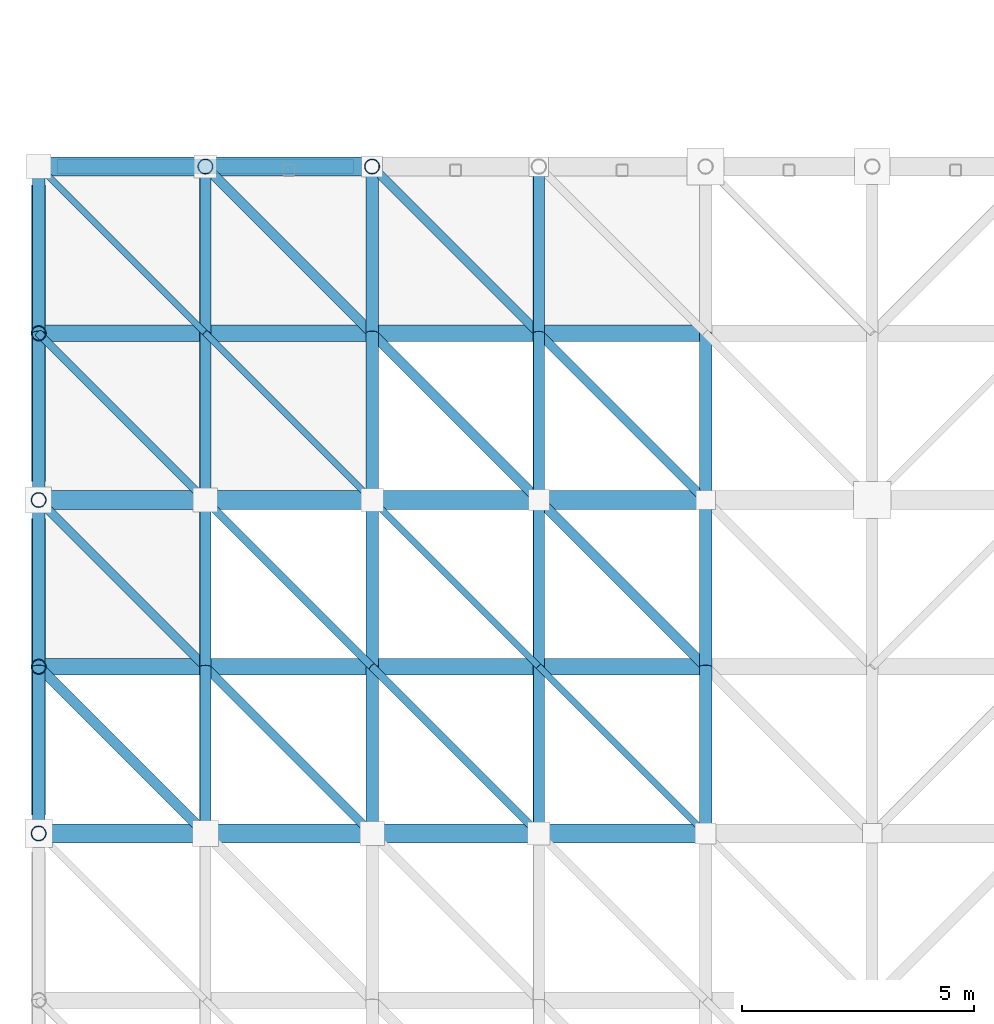
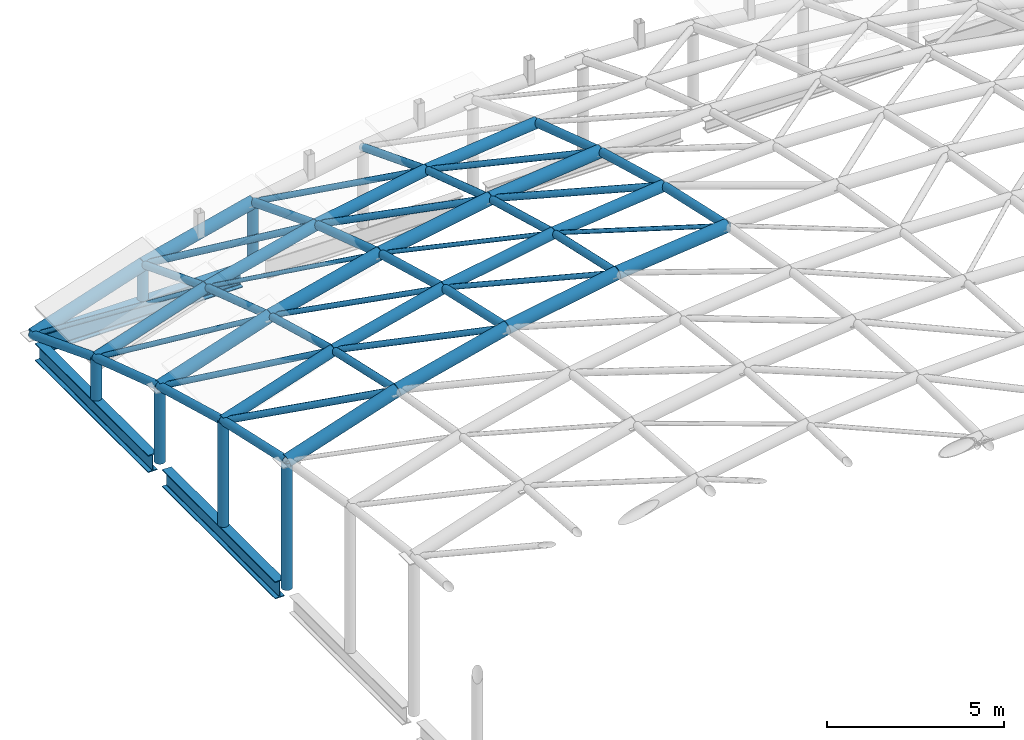
# One storey, part 9 of 40: 58 members, 3 beams.
"""IFC4 building model written with IfcOpenShell, lengths in metres."""

from ifc_helpers import new_model, si_unit, direction, frame, origin, origin_2d, place, context, subcontext, project, spatial, hollow_circle, i_section, extrude, material, material_profile, profile_set, type_object, element, save


model = new_model("IFC4")

# Units and contexts
model_context = context("Model", 3, precision=1e-05, world=origin(), true_north=direction((0.0, 1.0)))
body_context = subcontext(model_context, "Body", "Model", "MODEL_VIEW")
ifc_project = project(units=[si_unit("LENGTHUNIT", "METRE"), si_unit("AREAUNIT", "SQUARE_METRE"), si_unit("VOLUMEUNIT", "CUBIC_METRE"), si_unit("PLANEANGLEUNIT", "RADIAN"), si_unit("MASSUNIT", "GRAM", prefix="KILO")], contexts=[model_context])

# Site, building, storey
site_placement = place(None, origin())
site = spatial("IfcSite", under=ifc_project, at=site_placement, CompositionType="ELEMENT")
building_placement = place(site_placement, origin())
building = spatial("IfcBuilding", under=site, at=building_placement, Name="Kavelor Marine Aquarium", CompositionType="ELEMENT")
storey_placement = place(building_placement, frame((0.0, 0.0, 17.639892578125)))
storey = spatial("IfcBuildingStorey", under=building, at=storey_placement, Name="L04", CompositionType="ELEMENT", Elevation=17.639892578125)

# Beams
ifc_material_1 = material(Name="Steel S355", Category="steel")
ifc_material_profile_1 = material_profile(ifc_material_1, i_section(OverallWidth=0.300048828125, OverallDepth=0.64990234375, WebThickness=0.01611328125, FlangeThickness=0.031005859375, FilletRadius=0.027099609375, at=origin_2d()), Name="HEB 650")
ifc_profile_set_1 = profile_set([ifc_material_profile_1], Name="Steel S355")
beam_type_1 = type_object("IfcBeamType", Name="BM-SB1", PredefinedType="BEAM", material=ifc_profile_set_1)
beam_1_placement = place(storey_placement, frame((3.60009765625, 82.0, -0.324951171875), z_axis=(1.0, 0.0, 0.0), x_axis=(0.0, 1.0, 0.0)))
element("IfcBeam", 1, at=beam_1_placement, inside=storey, type_object=beam_type_1, Name="bm:x:L04:L04:00_11", PredefinedType="BEAM", context=body_context, shape_type="SweptSolid", body=[
    extrude(i_section(OverallWidth=0.300048828125, OverallDepth=0.64990234375, WebThickness=0.01611328125, FlangeThickness=0.031005859375, FilletRadius=0.027099609375, at=origin_2d()), origin(), (0.0, 0.0, 1.0), 6.39990234375),
])
ifc_material_2 = material(Name="Steel S355", Category="steel")
ifc_material_profile_2 = material_profile(ifc_material_2, i_section(OverallWidth=0.300048828125, OverallDepth=0.60009765625, WebThickness=0.015380859375, FlangeThickness=0.030029296875, FilletRadius=0.027099609375, at=origin_2d()), Name="HEB 600")
ifc_profile_set_2 = profile_set([ifc_material_profile_2], Name="Steel S355")
beam_type_2 = type_object("IfcBeamType", Name="BM-SB2", PredefinedType="BEAM", material=ifc_profile_set_2)
beam_2_placement = place(storey_placement, frame((3.199951171875, 68.0, -0.2998046875), z_axis=(0.0, 1.0, 0.0), x_axis=(-1.0, 0.0, 0.0)))
element("IfcBeam", 2, at=beam_2_placement, inside=storey, type_object=beam_type_2, Name="bm:y:L04:L04:00_09", PredefinedType="BEAM", context=body_context, shape_type="SweptSolid", body=[
    extrude(i_section(OverallWidth=0.300048828125, OverallDepth=0.60009765625, WebThickness=0.015380859375, FlangeThickness=0.030029296875, FilletRadius=0.027099609375, at=origin_2d()), origin(), (0.0, 0.0, 1.0), 6.39990234375),
])
beam_3_placement = place(storey_placement, frame((3.199951171875, 75.199951171875, -0.2998046875), z_axis=(0.0, 1.0, 0.0), x_axis=(-1.0, 0.0, 0.0)))
element("IfcBeam", 3, at=beam_3_placement, inside=storey, type_object=beam_type_2, Name="bm:y:L04:L04:00_10", PredefinedType="BEAM", context=body_context, shape_type="SweptSolid", body=[
    extrude(i_section(OverallWidth=0.300048828125, OverallDepth=0.60009765625, WebThickness=0.015380859375, FlangeThickness=0.030029296875, FilletRadius=0.027099609375, at=origin_2d()), origin(), (0.0, 0.0, 1.0), 6.400146484375),
])

# Members
ifc_material_3 = material(Name="Steel S355", Category="steel")
ifc_material_profile_3 = material_profile(ifc_material_3, hollow_circle(Radius=0.109619140625, WallThickness=0.0087890625, at=origin_2d()), Name="CHS 219.1x8.8")
ifc_profile_set_3 = profile_set([ifc_material_profile_3], Name="Steel S355")
member_type_1 = type_object("IfcMemberType", Name="GS-BR1", PredefinedType="BRACE", material=ifc_profile_set_3)
member_1_placement = place(storey_placement, frame((6.800048828125, 67.60009765625, 5.56298828125), z_axis=(-0.658938217371, 0.658893531475, -0.362849472742), x_axis=(-0.707082803744, -0.707130757816, 0.0)))
element("IfcMember", 4, at=member_1_placement, inside=storey, type_object=member_type_1, Name="gs:diag:00_12", PredefinedType="BRACE", context=body_context, shape_type="SweptSolid", body=[
    extrude(hollow_circle(Radius=0.109619140625, WallThickness=0.0087890625, at=origin_2d()), origin(), (0.0, 0.0, 1.0), 5.46337890625),
])
member_2_placement = place(storey_placement, frame((10.39990234375, 78.39990234375, 3.479736328125), z_axis=(-0.644444766779, 0.644488472766, -0.411491860239), x_axis=(-0.707130757816, -0.707082803744, 0.0)))
element("IfcMember", 5, at=member_2_placement, inside=storey, type_object=member_type_1, Name="gs:diag:01_15", PredefinedType="BRACE", context=body_context, shape_type="SweptSolid", body=[
    extrude(hollow_circle(Radius=0.109619140625, WallThickness=0.0087890625, at=origin_2d()), origin(), (0.0, 0.0, 1.0), 5.5859375),
])
member_3_placement = place(storey_placement, frame((14.0, 74.800048828125, 5.302734375), z_axis=(-0.665738295368, 0.665693148325, -0.337112969721), x_axis=(-0.707082803744, -0.707130757816, 0.0)))
element("IfcMember", 6, at=member_3_placement, inside=storey, type_object=member_type_1, Name="gs:diag:02_14", PredefinedType="BRACE", context=body_context, shape_type="SweptSolid", body=[
    extrude(hollow_circle(Radius=0.109619140625, WallThickness=0.0087890625, at=origin_2d()), origin(), (0.0, 0.0, 1.0), 5.40771484375),
])
member_4_placement = place(storey_placement, frame((17.60009765625, 71.199951171875, 6.670654296875), z_axis=(-0.682888195886, 0.682888195886, -0.259475285606), x_axis=(-0.707106781187, -0.707106781187, 0.0)))
element("IfcMember", 7, at=member_4_placement, inside=storey, type_object=member_type_1, Name="gs:diag:03_13", PredefinedType="BRACE", context=body_context, shape_type="SweptSolid", body=[
    extrude(hollow_circle(Radius=0.109619140625, WallThickness=0.0087890625, at=origin_2d()), origin(), (0.0, 0.0, 1.0), 5.27197265625),
])
ifc_material_4 = material(Name="Steel S355", Category="steel")
ifc_material_profile_4 = material_profile(ifc_material_4, hollow_circle(Radius=0.096923828125, WallThickness=0.008056640625, at=origin_2d()), Name="CHS 193.7x8.0")
ifc_profile_set_4 = profile_set([ifc_material_profile_4], Name="Steel S355")
member_type_2 = type_object("IfcMemberType", Name="GS-BR2", PredefinedType="BRACE", material=ifc_profile_set_4)
member_5_placement = place(storey_placement, frame((6.800048828125, 71.199951171875, 4.76171875), z_axis=(-0.650355528624, 0.650355528624, -0.39252435947), x_axis=(-0.707106781187, -0.707106781187, 0.0)))
element("IfcMember", 8, at=member_5_placement, inside=storey, type_object=member_type_2, Name="gs:diag:00_13", PredefinedType="BRACE", context=body_context, shape_type="SweptSolid", body=[
    extrude(hollow_circle(Radius=0.096923828125, WallThickness=0.008056640625, at=origin_2d()), origin(), (0.0, 0.0, 1.0), 5.53564453125),
])
member_6_placement = place(storey_placement, frame((10.39990234375, 67.60009765625, 6.462890625), z_axis=(-0.67065483092, 0.67065483092, -0.316929322608), x_axis=(-0.707106781187, -0.707106781187, 0.0)))
element("IfcMember", 9, at=member_6_placement, inside=storey, type_object=member_type_2, Name="gs:diag:01_12", PredefinedType="BRACE", context=body_context, shape_type="SweptSolid", body=[
    extrude(hollow_circle(Radius=0.096923828125, WallThickness=0.008056640625, at=origin_2d()), origin(), (0.0, 0.0, 1.0), 5.36767578125),
])
member_7_placement = place(storey_placement, frame((14.0, 78.39990234375, 4.11279296875), z_axis=(-0.656744765129, 0.656744765129, -0.370638134776), x_axis=(-0.707106781187, -0.707106781187, 0.0)))
element("IfcMember", 10, at=member_7_placement, inside=storey, type_object=member_type_2, Name="gs:diag:02_15", PredefinedType="BRACE", context=body_context, shape_type="SweptSolid", body=[
    extrude(hollow_circle(Radius=0.096923828125, WallThickness=0.008056640625, at=origin_2d()), origin(), (0.0, 0.0, 1.0), 5.481689453125),
])
member_8_placement = place(storey_placement, frame((17.60009765625, 74.800048828125, 5.678955078125), z_axis=(-0.675873448626, 0.675827614267, -0.294027408988), x_axis=(-0.707082803744, -0.707130757816, 0.0)))
element("IfcMember", 11, at=member_8_placement, inside=storey, type_object=member_type_2, Name="gs:diag:03_14", PredefinedType="BRACE", context=body_context, shape_type="SweptSolid", body=[
    extrude(hollow_circle(Radius=0.096923828125, WallThickness=0.008056640625, at=origin_2d()), origin(), (0.0, 0.0, 1.0), 5.32666015625),
])
ifc_material_5 = material(Name="Steel S355", Category="steel")
ifc_material_profile_5 = material_profile(ifc_material_5, hollow_circle(Radius=0.084228515625, WallThickness=0.007080078125, at=origin_2d()), Name="CHS 168.3x7.1")
ifc_profile_set_5 = profile_set([ifc_material_profile_5], Name="Steel S355")
member_type_3 = type_object("IfcMemberType", Name="GS-BR3", PredefinedType="BRACE", material=ifc_profile_set_5)
member_9_placement = place(storey_placement, frame((6.800048828125, 74.800048828125, 3.77001953125), z_axis=(-0.641019880504, 0.640976409741, -0.422188056385), x_axis=(-0.707082803744, -0.707130757816, 0.0)))
element("IfcMember", 12, at=member_9_placement, inside=storey, type_object=member_type_3, Name="gs:diag:00_14", PredefinedType="BRACE", context=body_context, shape_type="SweptSolid", body=[
    extrude(hollow_circle(Radius=0.084228515625, WallThickness=0.007080078125, at=origin_2d()), origin(), (0.0, 0.0, 1.0), 5.6162109375),
])
member_10_placement = place(storey_placement, frame((10.39990234375, 71.199951171875, 5.661376953125), z_axis=(-0.662821791425, 0.662866743734, -0.348245535312), x_axis=(-0.707130757816, -0.707082803744, 0.0)))
element("IfcMember", 13, at=member_10_placement, inside=storey, type_object=member_type_3, Name="gs:diag:01_13", PredefinedType="BRACE", context=body_context, shape_type="SweptSolid", body=[
    extrude(hollow_circle(Radius=0.084228515625, WallThickness=0.007080078125, at=origin_2d()), origin(), (0.0, 0.0, 1.0), 5.43115234375),
])
member_11_placement = place(storey_placement, frame((14.0, 67.60009765625, 7.095703125), z_axis=(-0.680634839712, 0.68058868246, -0.271173856185), x_axis=(-0.707082803744, -0.707130757816, 0.0)))
element("IfcMember", 14, at=member_11_placement, inside=storey, type_object=member_type_3, Name="gs:diag:02_12", PredefinedType="BRACE", context=body_context, shape_type="SweptSolid", body=[
    extrude(hollow_circle(Radius=0.084228515625, WallThickness=0.007080078125, at=origin_2d()), origin(), (0.0, 0.0, 1.0), 5.289306640625),
])
ifc_material_6 = material(Name="Steel S355", Category="steel")
ifc_material_profile_6 = material_profile(ifc_material_6, hollow_circle(Radius=0.06982421875, WallThickness=0.00634765625, at=origin_2d()), Name="CHS 139.7x6.3")
ifc_profile_set_6 = profile_set([ifc_material_profile_6], Name="Steel S355")
member_type_4 = type_object("IfcMemberType", Name="GS-BR4", PredefinedType="BRACE", material=ifc_profile_set_6)
member_12_placement = place(storey_placement, frame((6.800048828125, 78.39990234375, 2.580078125), z_axis=(-0.630740439483, 0.630740439483, -0.452032074085), x_axis=(-0.707106781187, -0.707106781187, 0.0)))
element("IfcMember", 15, at=member_12_placement, inside=storey, type_object=member_type_4, Name="gs:diag:00_15", PredefinedType="BRACE", context=body_context, shape_type="SweptSolid", body=[
    extrude(hollow_circle(Radius=0.06982421875, WallThickness=0.00634765625, at=origin_2d()), origin(), (0.0, 0.0, 1.0), 5.707763671875),
])
member_13_placement = place(storey_placement, frame((10.39990234375, 74.800048828125, 4.669677734375), z_axis=(-0.654147876272, 0.654147876272, -0.379711880164), x_axis=(-0.707106781187, -0.707106781187, 0.0)))
element("IfcMember", 16, at=member_13_placement, inside=storey, type_object=member_type_4, Name="gs:diag:01_14", PredefinedType="BRACE", context=body_context, shape_type="SweptSolid", body=[
    extrude(hollow_circle(Radius=0.06982421875, WallThickness=0.00634765625, at=origin_2d()), origin(), (0.0, 0.0, 1.0), 5.503173828125),
])
member_14_placement = place(storey_placement, frame((14.0, 71.199951171875, 6.29443359375), z_axis=(-0.673636744667, 0.673636744667, -0.304018210753), x_axis=(-0.707106781187, -0.707106781187, 0.0)))
element("IfcMember", 17, at=member_14_placement, inside=storey, type_object=member_type_4, Name="gs:diag:02_13", PredefinedType="BRACE", context=body_context, shape_type="SweptSolid", body=[
    extrude(hollow_circle(Radius=0.06982421875, WallThickness=0.00634765625, at=origin_2d()), origin(), (0.0, 0.0, 1.0), 5.34423828125),
])
member_15_placement = place(storey_placement, frame((17.60009765625, 67.60009765625, 7.471923828125), z_axis=(-0.688944426633, 0.688897705866, -0.22533425808), x_axis=(-0.707082803744, -0.707130757816, 0.0)))
element("IfcMember", 18, at=member_15_placement, inside=storey, type_object=member_type_4, Name="gs:diag:03_12", PredefinedType="BRACE", context=body_context, shape_type="SweptSolid", body=[
    extrude(hollow_circle(Radius=0.06982421875, WallThickness=0.00634765625, at=origin_2d()), origin(), (0.0, 0.0, 1.0), 5.2255859375),
])
ifc_material_7 = material(Name="Steel S355", Category="steel")
ifc_material_profile_7 = material_profile(ifc_material_7, hollow_circle(Radius=0.203125, WallThickness=0.01611328125, at=origin_2d()), Name="CHS 406.4x16.0")
ifc_profile_set_7 = profile_set([ifc_material_profile_7], Name="Steel S355")
member_type_5 = type_object("IfcMemberType", Name="GS-CH1", PredefinedType="CHORD", material=ifc_profile_set_7)
member_16_placement = place(storey_placement, frame((3.199951171875, 67.60009765625, 4.3818359375), z_axis=(0.950167603973, 0.0, 0.311739513632), x_axis=(0.0, 1.0, 0.0)))
element("IfcMember", 19, at=member_16_placement, inside=storey, type_object=member_type_5, Name="gs:arch:00_12", PredefinedType="CHORD", context=body_context, shape_type="SweptSolid", body=[
    extrude(hollow_circle(Radius=0.203125, WallThickness=0.01611328125, at=origin_2d()), origin(), (0.0, 0.0, 1.0), 3.788818359375),
])
member_17_placement = place(storey_placement, frame((6.800048828125, 67.60009765625, 5.56298828125), z_axis=(0.970146370312, 0.0, 0.242520143843), x_axis=(0.0, 1.0, 0.0)))
element("IfcMember", 20, at=member_17_placement, inside=storey, type_object=member_type_5, Name="gs:arch:01_12", PredefinedType="CHORD", context=body_context, shape_type="SweptSolid", body=[
    extrude(hollow_circle(Radius=0.203125, WallThickness=0.01611328125, at=origin_2d()), origin(), (0.0, 0.0, 1.0), 3.710693359375),
])
member_18_placement = place(storey_placement, frame((10.39990234375, 67.60009765625, 6.462890625), z_axis=(0.984900331996, 0.0, 0.17312231524), x_axis=(0.0, 1.0, 0.0)))
element("IfcMember", 21, at=member_18_placement, inside=storey, type_object=member_type_5, Name="gs:arch:02_12", PredefinedType="CHORD", context=body_context, shape_type="SweptSolid", body=[
    extrude(hollow_circle(Radius=0.203125, WallThickness=0.01611328125, at=origin_2d()), origin(), (0.0, 0.0, 1.0), 3.6552734375),
])
member_19_placement = place(storey_placement, frame((14.0, 67.60009765625, 7.095703125), z_axis=(0.994583891535, 0.0, 0.103936916917), x_axis=(0.0, 1.0, 0.0)))
element("IfcMember", 22, at=member_19_placement, inside=storey, type_object=member_type_5, Name="gs:arch:03_12", PredefinedType="CHORD", context=body_context, shape_type="SweptSolid", body=[
    extrude(hollow_circle(Radius=0.203125, WallThickness=0.01611328125, at=origin_2d()), origin(), (0.0, 0.0, 1.0), 3.61962890625),
])
member_20_placement = place(storey_placement, frame((3.199951171875, 74.800048828125, 2.5888671875), z_axis=(0.950167603973, 0.0, 0.311739513632), x_axis=(0.0, 1.0, 0.0)))
element("IfcMember", 23, at=member_20_placement, inside=storey, type_object=member_type_5, Name="gs:arch:00_14", PredefinedType="CHORD", context=body_context, shape_type="SweptSolid", body=[
    extrude(hollow_circle(Radius=0.203125, WallThickness=0.01611328125, at=origin_2d()), origin(), (0.0, 0.0, 1.0), 3.788818359375),
])
member_21_placement = place(storey_placement, frame((6.800048828125, 74.800048828125, 3.77001953125), z_axis=(0.970161848818, 0.0, 0.242458217219), x_axis=(0.0, 1.0, 0.0)))
element("IfcMember", 24, at=member_21_placement, inside=storey, type_object=member_type_5, Name="gs:arch:01_14", PredefinedType="CHORD", context=body_context, shape_type="SweptSolid", body=[
    extrude(hollow_circle(Radius=0.203125, WallThickness=0.01611328125, at=origin_2d()), origin(), (0.0, 0.0, 1.0), 3.71044921875),
])
member_22_placement = place(storey_placement, frame((10.39990234375, 74.800048828125, 4.669677734375), z_axis=(0.984888941579, 0.0, 0.173187103317), x_axis=(0.0, 1.0, 0.0)))
element("IfcMember", 25, at=member_22_placement, inside=storey, type_object=member_type_5, Name="gs:arch:02_14", PredefinedType="CHORD", context=body_context, shape_type="SweptSolid", body=[
    extrude(hollow_circle(Radius=0.203125, WallThickness=0.01611328125, at=origin_2d()), origin(), (0.0, 0.0, 1.0), 3.6552734375),
])
member_23_placement = place(storey_placement, frame((14.0, 74.800048828125, 5.302734375), z_axis=(0.994583891535, 0.0, 0.103936916917), x_axis=(0.0, 1.0, 0.0)))
element("IfcMember", 26, at=member_23_placement, inside=storey, type_object=member_type_5, Name="gs:arch:03_14", PredefinedType="CHORD", context=body_context, shape_type="SweptSolid", body=[
    extrude(hollow_circle(Radius=0.203125, WallThickness=0.01611328125, at=origin_2d()), origin(), (0.0, 0.0, 1.0), 3.61962890625),
])
member_24_placement = place(storey_placement, frame((3.199951171875, 82.0, 0.0), z_axis=(0.950167603973, 0.0, 0.311739513632), x_axis=(0.0, 1.0, 0.0)))
element("IfcMember", 27, at=member_24_placement, inside=storey, type_object=member_type_5, Name="gs:arch:00_16", PredefinedType="CHORD", context=body_context, shape_type="SweptSolid", body=[
    extrude(hollow_circle(Radius=0.203125, WallThickness=0.01611328125, at=origin_2d()), origin(), (0.0, 0.0, 1.0), 3.788818359375),
])
member_25_placement = place(storey_placement, frame((6.800048828125, 82.0, 1.18115234375), z_axis=(0.970146370312, 0.0, 0.242520143843), x_axis=(0.0, 1.0, 0.0)))
element("IfcMember", 28, at=member_25_placement, inside=storey, type_object=member_type_5, Name="gs:arch:01_16", PredefinedType="CHORD", context=body_context, shape_type="SweptSolid", body=[
    extrude(hollow_circle(Radius=0.203125, WallThickness=0.01611328125, at=origin_2d()), origin(), (0.0, 0.0, 1.0), 3.710693359375),
])
ifc_material_8 = material(Name="Steel S355", Category="steel")
ifc_material_profile_8 = material_profile(ifc_material_8, hollow_circle(Radius=0.177734375, WallThickness=0.01416015625, at=origin_2d()), Name="CHS 355.6x14.2")
ifc_profile_set_8 = profile_set([ifc_material_profile_8], Name="Steel S355")
member_type_6 = type_object("IfcMemberType", Name="GS-CH2", PredefinedType="CHORD", material=ifc_profile_set_8)
member_26_placement = place(storey_placement, frame((3.199951171875, 71.199951171875, 3.58056640625), z_axis=(0.950167603973, 0.0, 0.311739513632), x_axis=(0.0, 1.0, 0.0)))
element("IfcMember", 29, at=member_26_placement, inside=storey, type_object=member_type_6, Name="gs:arch:00_13", PredefinedType="CHORD", context=body_context, shape_type="SweptSolid", body=[
    extrude(hollow_circle(Radius=0.177734375, WallThickness=0.01416015625, at=origin_2d()), origin(), (0.0, 0.0, 1.0), 3.788818359375),
])
member_27_placement = place(storey_placement, frame((6.800048828125, 71.199951171875, 4.76171875), z_axis=(0.970161848818, 0.0, 0.242458217219), x_axis=(0.0, 1.0, 0.0)))
element("IfcMember", 30, at=member_27_placement, inside=storey, type_object=member_type_6, Name="gs:arch:01_13", PredefinedType="CHORD", context=body_context, shape_type="SweptSolid", body=[
    extrude(hollow_circle(Radius=0.177734375, WallThickness=0.01416015625, at=origin_2d()), origin(), (0.0, 0.0, 1.0), 3.71044921875),
])
member_28_placement = place(storey_placement, frame((10.39990234375, 71.199951171875, 5.661376953125), z_axis=(0.984888941579, 0.0, 0.173187103317), x_axis=(0.0, 1.0, 0.0)))
element("IfcMember", 31, at=member_28_placement, inside=storey, type_object=member_type_6, Name="gs:arch:02_13", PredefinedType="CHORD", context=body_context, shape_type="SweptSolid", body=[
    extrude(hollow_circle(Radius=0.177734375, WallThickness=0.01416015625, at=origin_2d()), origin(), (0.0, 0.0, 1.0), 3.6552734375),
])
member_29_placement = place(storey_placement, frame((14.0, 71.199951171875, 6.29443359375), z_axis=(0.994583891535, 0.0, 0.103936916917), x_axis=(0.0, 1.0, 0.0)))
element("IfcMember", 32, at=member_29_placement, inside=storey, type_object=member_type_6, Name="gs:arch:03_13", PredefinedType="CHORD", context=body_context, shape_type="SweptSolid", body=[
    extrude(hollow_circle(Radius=0.177734375, WallThickness=0.01416015625, at=origin_2d()), origin(), (0.0, 0.0, 1.0), 3.61962890625),
])
member_30_placement = place(storey_placement, frame((3.199951171875, 78.39990234375, 1.39892578125), z_axis=(0.950167603973, 0.0, 0.311739513632), x_axis=(0.0, 1.0, 0.0)))
element("IfcMember", 33, at=member_30_placement, inside=storey, type_object=member_type_6, Name="gs:arch:00_15", PredefinedType="CHORD", context=body_context, shape_type="SweptSolid", body=[
    extrude(hollow_circle(Radius=0.177734375, WallThickness=0.01416015625, at=origin_2d()), origin(), (0.0, 0.0, 1.0), 3.788818359375),
])
member_31_placement = place(storey_placement, frame((6.800048828125, 78.39990234375, 2.580078125), z_axis=(0.970161848818, 0.0, 0.242458217219), x_axis=(0.0, 1.0, 0.0)))
element("IfcMember", 34, at=member_31_placement, inside=storey, type_object=member_type_6, Name="gs:arch:01_15", PredefinedType="CHORD", context=body_context, shape_type="SweptSolid", body=[
    extrude(hollow_circle(Radius=0.177734375, WallThickness=0.01416015625, at=origin_2d()), origin(), (0.0, 0.0, 1.0), 3.71044921875),
])
member_32_placement = place(storey_placement, frame((10.39990234375, 78.39990234375, 3.479736328125), z_axis=(0.984888941579, 0.0, 0.173187103317), x_axis=(0.0, 1.0, 0.0)))
element("IfcMember", 35, at=member_32_placement, inside=storey, type_object=member_type_6, Name="gs:arch:02_15", PredefinedType="CHORD", context=body_context, shape_type="SweptSolid", body=[
    extrude(hollow_circle(Radius=0.177734375, WallThickness=0.01416015625, at=origin_2d()), origin(), (0.0, 0.0, 1.0), 3.6552734375),
])
member_33_placement = place(storey_placement, frame((14.0, 78.39990234375, 4.11279296875), z_axis=(0.994590861685, 0.0, 0.103870197138), x_axis=(0.0, 1.0, 0.0)))
element("IfcMember", 36, at=member_33_placement, inside=storey, type_object=member_type_6, Name="gs:arch:03_15", PredefinedType="CHORD", context=body_context, shape_type="SweptSolid", body=[
    extrude(hollow_circle(Radius=0.177734375, WallThickness=0.01416015625, at=origin_2d()), origin(), (0.0, 0.0, 1.0), 3.61962890625),
])
ifc_material_9 = material(Name="Steel S355", Category="steel")
ifc_material_profile_9 = material_profile(ifc_material_9, hollow_circle(Radius=0.161865234375, WallThickness=0.012451171875, at=origin_2d()), Name="CHS 323.9x12.5")
ifc_profile_set_9 = profile_set([ifc_material_profile_9], Name="Steel S355")
member_type_7 = type_object("IfcMemberType", Name="GS-CH3", PredefinedType="CHORD", material=ifc_profile_set_9)
member_34_placement = place(storey_placement, frame((6.800048828125, 82.0, 0.0), z_axis=(0.0, 0.0, 1.0), x_axis=(1.0, 0.0, 0.0)))
element("IfcMember", 37, at=member_34_placement, inside=storey, type_object=member_type_7, Name="gs:post:y:01_16", PredefinedType="CHORD", context=body_context, shape_type="SweptSolid", body=[
    extrude(hollow_circle(Radius=0.161865234375, WallThickness=0.012451171875, at=origin_2d()), origin(), (0.0, 0.0, 1.0), 1.18115234375),
])
member_35_placement = place(storey_placement, frame((10.39990234375, 82.0, 0.0), z_axis=(0.0, 0.0, 1.0), x_axis=(1.0, 0.0, 0.0)))
element("IfcMember", 38, at=member_35_placement, inside=storey, type_object=member_type_7, Name="gs:post:y:02_16", PredefinedType="CHORD", context=body_context, shape_type="SweptSolid", body=[
    extrude(hollow_circle(Radius=0.161865234375, WallThickness=0.012451171875, at=origin_2d()), origin(), (0.0, 0.0, 1.0), 2.0810546875),
])
member_36_placement = place(storey_placement, frame((3.199951171875, 67.60009765625, 0.0), z_axis=(0.0, 0.0, 1.0), x_axis=(1.0, 0.0, 0.0)))
element("IfcMember", 39, at=member_36_placement, inside=storey, type_object=member_type_7, Name="gs:post:x:00_12", PredefinedType="CHORD", context=body_context, shape_type="SweptSolid", body=[
    extrude(hollow_circle(Radius=0.161865234375, WallThickness=0.012451171875, at=origin_2d()), origin(), (0.0, 0.0, 1.0), 4.3818359375),
])
member_37_placement = place(storey_placement, frame((3.199951171875, 71.199951171875, 0.0), z_axis=(0.0, 0.0, 1.0), x_axis=(1.0, 0.0, 0.0)))
element("IfcMember", 40, at=member_37_placement, inside=storey, type_object=member_type_7, Name="gs:post:x:00_13", PredefinedType="CHORD", context=body_context, shape_type="SweptSolid", body=[
    extrude(hollow_circle(Radius=0.161865234375, WallThickness=0.012451171875, at=origin_2d()), origin(), (0.0, 0.0, 1.0), 3.58056640625),
])
member_38_placement = place(storey_placement, frame((3.199951171875, 74.800048828125, 0.0), z_axis=(0.0, 0.0, 1.0), x_axis=(1.0, 0.0, 0.0)))
element("IfcMember", 41, at=member_38_placement, inside=storey, type_object=member_type_7, Name="gs:post:x:00_14", PredefinedType="CHORD", context=body_context, shape_type="SweptSolid", body=[
    extrude(hollow_circle(Radius=0.161865234375, WallThickness=0.012451171875, at=origin_2d()), origin(), (0.0, 0.0, 1.0), 2.5888671875),
])
member_39_placement = place(storey_placement, frame((3.199951171875, 78.39990234375, 0.0), z_axis=(0.0, 0.0, 1.0), x_axis=(1.0, 0.0, 0.0)))
element("IfcMember", 42, at=member_39_placement, inside=storey, type_object=member_type_7, Name="gs:post:x:00_15", PredefinedType="CHORD", context=body_context, shape_type="SweptSolid", body=[
    extrude(hollow_circle(Radius=0.161865234375, WallThickness=0.012451171875, at=origin_2d()), origin(), (0.0, 0.0, 1.0), 1.39892578125),
])
ifc_material_10 = material(Name="Steel S355", Category="steel")
ifc_material_profile_10 = material_profile(ifc_material_10, hollow_circle(Radius=0.136474609375, WallThickness=0.010009765625, at=origin_2d()), Name="CHS 273.0x10.0")
ifc_profile_set_10 = profile_set([ifc_material_profile_10], Name="Steel S355")
member_type_8 = type_object("IfcMemberType", Name="GS-CH4", PredefinedType="CHORD", material=ifc_profile_set_10)
member_40_placement = place(storey_placement, frame((3.199951171875, 67.60009765625, 4.3818359375), z_axis=(0.0, 0.976112235663, -0.217266894367), x_axis=(-1.0, 0.0, 0.0)))
element("IfcMember", 43, at=member_40_placement, inside=storey, type_object=member_type_8, Name="gs:long:00_12", PredefinedType="CHORD", context=body_context, shape_type="SweptSolid", body=[
    extrude(hollow_circle(Radius=0.136474609375, WallThickness=0.010009765625, at=origin_2d()), origin(), (0.0, 0.0, 1.0), 3.68798828125),
])
member_41_placement = place(storey_placement, frame((3.199951171875, 71.199951171875, 3.58056640625), z_axis=(0.0, 0.964090802748, -0.265572822512), x_axis=(-1.0, 0.0, 0.0)))
element("IfcMember", 44, at=member_41_placement, inside=storey, type_object=member_type_8, Name="gs:long:00_13", PredefinedType="CHORD", context=body_context, shape_type="SweptSolid", body=[
    extrude(hollow_circle(Radius=0.136474609375, WallThickness=0.010009765625, at=origin_2d()), origin(), (0.0, 0.0, 1.0), 3.734130859375),
])
member_42_placement = place(storey_placement, frame((3.199951171875, 74.800048828125, 2.5888671875), z_axis=(0.0, 0.949472354304, -0.313850678527), x_axis=(-1.0, 0.0, 0.0)))
element("IfcMember", 45, at=member_42_placement, inside=storey, type_object=member_type_8, Name="gs:long:00_14", PredefinedType="CHORD", context=body_context, shape_type="SweptSolid", body=[
    extrude(hollow_circle(Radius=0.136474609375, WallThickness=0.010009765625, at=origin_2d()), origin(), (0.0, 0.0, 1.0), 3.79150390625),
])
member_43_placement = place(storey_placement, frame((3.199951171875, 78.39990234375, 1.39892578125), z_axis=(0.0, 0.932101910958, -0.362196117577), x_axis=(-1.0, 0.0, 0.0)))
element("IfcMember", 46, at=member_43_placement, inside=storey, type_object=member_type_8, Name="gs:long:00_15", PredefinedType="CHORD", context=body_context, shape_type="SweptSolid", body=[
    extrude(hollow_circle(Radius=0.136474609375, WallThickness=0.010009765625, at=origin_2d()), origin(), (0.0, 0.0, 1.0), 3.8623046875),
])
member_44_placement = place(storey_placement, frame((10.39990234375, 67.60009765625, 6.462890625), z_axis=(0.0, 0.976098194436, -0.217329967605), x_axis=(-1.0, 0.0, 0.0)))
element("IfcMember", 47, at=member_44_placement, inside=storey, type_object=member_type_8, Name="gs:long:02_12", PredefinedType="CHORD", context=body_context, shape_type="SweptSolid", body=[
    extrude(hollow_circle(Radius=0.136474609375, WallThickness=0.010009765625, at=origin_2d()), origin(), (0.0, 0.0, 1.0), 3.68798828125),
])
member_45_placement = place(storey_placement, frame((10.39990234375, 71.199951171875, 5.661376953125), z_axis=(0.0, 0.964090802748, -0.265572822512), x_axis=(-1.0, 0.0, 0.0)))
element("IfcMember", 48, at=member_45_placement, inside=storey, type_object=member_type_8, Name="gs:long:02_13", PredefinedType="CHORD", context=body_context, shape_type="SweptSolid", body=[
    extrude(hollow_circle(Radius=0.136474609375, WallThickness=0.010009765625, at=origin_2d()), origin(), (0.0, 0.0, 1.0), 3.734130859375),
])
member_46_placement = place(storey_placement, frame((10.39990234375, 74.800048828125, 4.669677734375), z_axis=(0.0, 0.949472354304, -0.313850678527), x_axis=(-1.0, 0.0, 0.0)))
element("IfcMember", 49, at=member_46_placement, inside=storey, type_object=member_type_8, Name="gs:long:02_14", PredefinedType="CHORD", context=body_context, shape_type="SweptSolid", body=[
    extrude(hollow_circle(Radius=0.136474609375, WallThickness=0.010009765625, at=origin_2d()), origin(), (0.0, 0.0, 1.0), 3.79150390625),
])
member_47_placement = place(storey_placement, frame((10.39990234375, 78.39990234375, 3.479736328125), z_axis=(0.0, 0.932123249924, -0.362141197533), x_axis=(-1.0, 0.0, 0.0)))
element("IfcMember", 50, at=member_47_placement, inside=storey, type_object=member_type_8, Name="gs:long:02_15", PredefinedType="CHORD", context=body_context, shape_type="SweptSolid", body=[
    extrude(hollow_circle(Radius=0.136474609375, WallThickness=0.010009765625, at=origin_2d()), origin(), (0.0, 0.0, 1.0), 3.8623046875),
])
member_48_placement = place(storey_placement, frame((17.60009765625, 67.60009765625, 7.471923828125), z_axis=(0.0, 0.976112235663, -0.217266894367), x_axis=(-1.0, 0.0, 0.0)))
element("IfcMember", 51, at=member_48_placement, inside=storey, type_object=member_type_8, Name="gs:long:04_12", PredefinedType="CHORD", context=body_context, shape_type="SweptSolid", body=[
    extrude(hollow_circle(Radius=0.136474609375, WallThickness=0.010009765625, at=origin_2d()), origin(), (0.0, 0.0, 1.0), 3.68798828125),
])
member_49_placement = place(storey_placement, frame((17.60009765625, 71.199951171875, 6.670654296875), z_axis=(0.0, 0.964090802748, -0.265572822512), x_axis=(-1.0, 0.0, 0.0)))
element("IfcMember", 52, at=member_49_placement, inside=storey, type_object=member_type_8, Name="gs:long:04_13", PredefinedType="CHORD", context=body_context, shape_type="SweptSolid", body=[
    extrude(hollow_circle(Radius=0.136474609375, WallThickness=0.010009765625, at=origin_2d()), origin(), (0.0, 0.0, 1.0), 3.734130859375),
])
member_50_placement = place(storey_placement, frame((17.60009765625, 74.800048828125, 5.678955078125), z_axis=(0.0, 0.949453164333, -0.313908726763), x_axis=(-1.0, 0.0, 0.0)))
element("IfcMember", 53, at=member_50_placement, inside=storey, type_object=member_type_8, Name="gs:long:04_14", PredefinedType="CHORD", context=body_context, shape_type="SweptSolid", body=[
    extrude(hollow_circle(Radius=0.136474609375, WallThickness=0.010009765625, at=origin_2d()), origin(), (0.0, 0.0, 1.0), 3.79150390625),
])
ifc_material_11 = material(Name="Steel S355", Category="steel")
ifc_material_profile_11 = material_profile(ifc_material_11, hollow_circle(Radius=0.122314453125, WallThickness=0.010009765625, at=origin_2d()), Name="CHS 244.5x10.0")
ifc_profile_set_11 = profile_set([ifc_material_profile_11], Name="Steel S355")
member_type_9 = type_object("IfcMemberType", Name="GS-CH5", PredefinedType="CHORD", material=ifc_profile_set_11)
member_51_placement = place(storey_placement, frame((6.800048828125, 67.60009765625, 5.56298828125), z_axis=(0.0, 0.976112235663, -0.217266894367), x_axis=(-1.0, 0.0, 0.0)))
element("IfcMember", 54, at=member_51_placement, inside=storey, type_object=member_type_9, Name="gs:long:01_12", PredefinedType="CHORD", context=body_context, shape_type="SweptSolid", body=[
    extrude(hollow_circle(Radius=0.122314453125, WallThickness=0.010009765625, at=origin_2d()), origin(), (0.0, 0.0, 1.0), 3.68798828125),
])
member_52_placement = place(storey_placement, frame((6.800048828125, 71.199951171875, 4.76171875), z_axis=(0.0, 0.964090802748, -0.265572822512), x_axis=(-1.0, 0.0, 0.0)))
element("IfcMember", 55, at=member_52_placement, inside=storey, type_object=member_type_9, Name="gs:long:01_13", PredefinedType="CHORD", context=body_context, shape_type="SweptSolid", body=[
    extrude(hollow_circle(Radius=0.122314453125, WallThickness=0.010009765625, at=origin_2d()), origin(), (0.0, 0.0, 1.0), 3.734130859375),
])
member_53_placement = place(storey_placement, frame((6.800048828125, 74.800048828125, 3.77001953125), z_axis=(0.0, 0.949472354304, -0.313850678527), x_axis=(-1.0, 0.0, 0.0)))
element("IfcMember", 56, at=member_53_placement, inside=storey, type_object=member_type_9, Name="gs:long:01_14", PredefinedType="CHORD", context=body_context, shape_type="SweptSolid", body=[
    extrude(hollow_circle(Radius=0.122314453125, WallThickness=0.010009765625, at=origin_2d()), origin(), (0.0, 0.0, 1.0), 3.79150390625),
])
member_54_placement = place(storey_placement, frame((6.800048828125, 78.39990234375, 2.580078125), z_axis=(0.0, 0.932101910958, -0.362196117577), x_axis=(-1.0, 0.0, 0.0)))
element("IfcMember", 57, at=member_54_placement, inside=storey, type_object=member_type_9, Name="gs:long:01_15", PredefinedType="CHORD", context=body_context, shape_type="SweptSolid", body=[
    extrude(hollow_circle(Radius=0.122314453125, WallThickness=0.010009765625, at=origin_2d()), origin(), (0.0, 0.0, 1.0), 3.8623046875),
])
member_55_placement = place(storey_placement, frame((14.0, 67.60009765625, 7.095703125), z_axis=(0.0, 0.976112235663, -0.217266894367), x_axis=(-1.0, 0.0, 0.0)))
element("IfcMember", 58, at=member_55_placement, inside=storey, type_object=member_type_9, Name="gs:long:03_12", PredefinedType="CHORD", context=body_context, shape_type="SweptSolid", body=[
    extrude(hollow_circle(Radius=0.122314453125, WallThickness=0.010009765625, at=origin_2d()), origin(), (0.0, 0.0, 1.0), 3.68798828125),
])
member_56_placement = place(storey_placement, frame((14.0, 71.199951171875, 6.29443359375), z_axis=(0.0, 0.964090802748, -0.265572822512), x_axis=(-1.0, 0.0, 0.0)))
element("IfcMember", 59, at=member_56_placement, inside=storey, type_object=member_type_9, Name="gs:long:03_13", PredefinedType="CHORD", context=body_context, shape_type="SweptSolid", body=[
    extrude(hollow_circle(Radius=0.122314453125, WallThickness=0.010009765625, at=origin_2d()), origin(), (0.0, 0.0, 1.0), 3.734130859375),
])
member_57_placement = place(storey_placement, frame((14.0, 74.800048828125, 5.302734375), z_axis=(0.0, 0.949472354304, -0.313850678527), x_axis=(-1.0, 0.0, 0.0)))
element("IfcMember", 60, at=member_57_placement, inside=storey, type_object=member_type_9, Name="gs:long:03_14", PredefinedType="CHORD", context=body_context, shape_type="SweptSolid", body=[
    extrude(hollow_circle(Radius=0.122314453125, WallThickness=0.010009765625, at=origin_2d()), origin(), (0.0, 0.0, 1.0), 3.79150390625),
])
member_58_placement = place(storey_placement, frame((14.0, 78.39990234375, 4.11279296875), z_axis=(0.0, 0.932123249924, -0.362141197533), x_axis=(-1.0, 0.0, 0.0)))
element("IfcMember", 61, at=member_58_placement, inside=storey, type_object=member_type_9, Name="gs:long:03_15", PredefinedType="CHORD", context=body_context, shape_type="SweptSolid", body=[
    extrude(hollow_circle(Radius=0.122314453125, WallThickness=0.010009765625, at=origin_2d()), origin(), (0.0, 0.0, 1.0), 3.8623046875),
])

save(model, "model.ifc")
